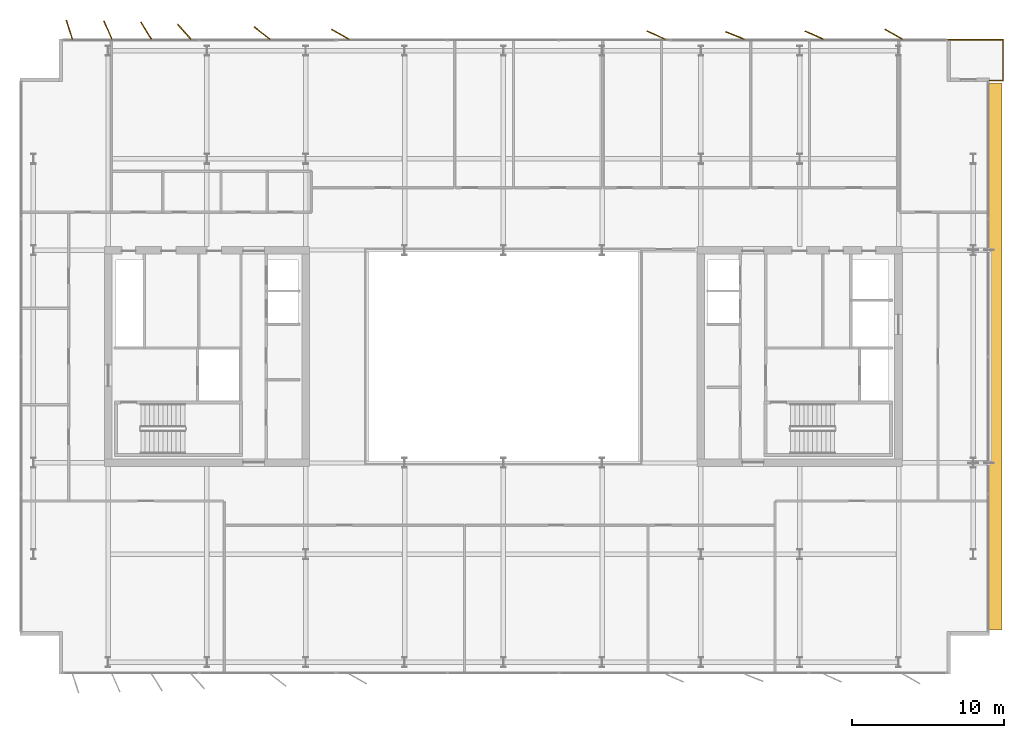
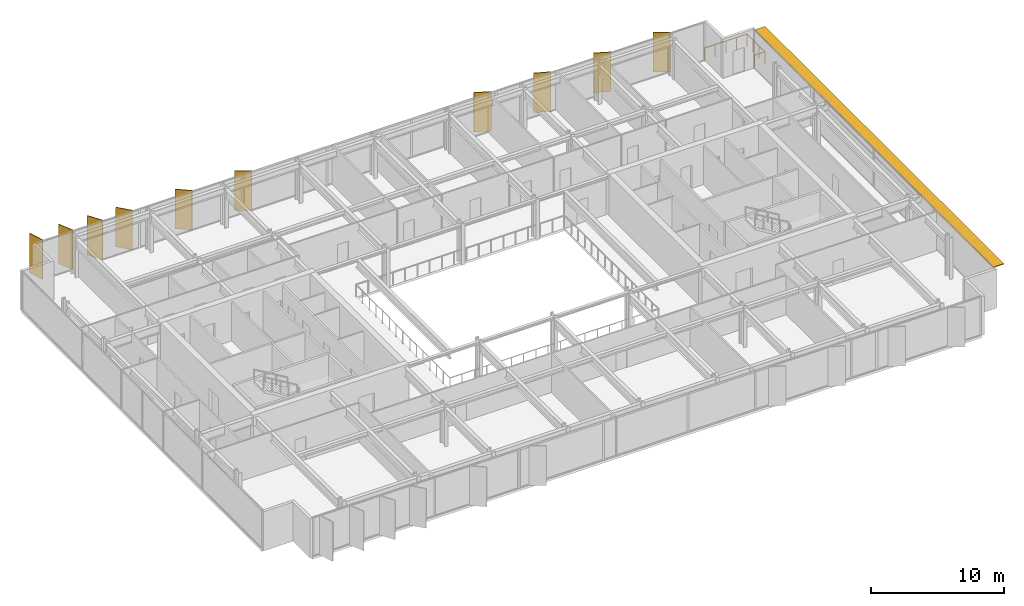
# One storey, part 19 of 19: 11 shading devices, 1 railing.
"""IFC4 building model written with IfcOpenShell, lengths in metres."""

from ifc_helpers import new_model, si_unit, direction, frame, origin, origin_2d, place, context, subcontext, project, spatial, polyline, rectangle, circle, outline, extrude, material, layer, layer_set, type_object, element, save


model = new_model("IFC4")

# Units and contexts
model_context = context("Model", 3, precision=1e-05, world=origin(), true_north=direction((0.0, 1.0)))
body_context = subcontext(model_context, "Body", "Model", "MODEL_VIEW")
ifc_project = project(units=[si_unit("LENGTHUNIT", "METRE"), si_unit("AREAUNIT", "SQUARE_METRE"), si_unit("VOLUMEUNIT", "CUBIC_METRE"), si_unit("PLANEANGLEUNIT", "RADIAN"), si_unit("MASSUNIT", "GRAM", prefix="KILO")], contexts=[model_context])

# Site, building, storey
site_placement = place(None, origin())
site = spatial("IfcSite", under=ifc_project, at=site_placement, CompositionType="ELEMENT")
building_placement = place(site_placement, origin())
building = spatial("IfcBuilding", under=site, at=building_placement, Name="Putna Gate Headquarters", CompositionType="ELEMENT")
storey_placement = place(building_placement, frame((0.0, 0.0, 263.199951171875)))
storey = spatial("IfcBuildingStorey", under=building, at=storey_placement, Name="L66", CompositionType="ELEMENT", Elevation=263.199951171875)

# Railing
ifc_material_1 = material(Name="Anodised bronze steel and laminated glass guardrail", Category="steel")
railing_type = type_object("IfcRailingType", Name="RAIL-TERR-GUARD-1150", PredefinedType="GUARDRAIL", material=ifc_material_1)
railing_placement = place(storey_placement, frame((70.989013671875, 44.159912109375, 0.0)))
element("IfcRailing", 1, at=railing_placement, inside=storey, type_object=railing_type, Name="L66 Spiral Sky Terrace Guardrail NE", PredefinedType="GUARDRAIL", context=body_context, shape_type="SweptSolid", body=[
    extrude(circle(Radius=0.02392578125, at=origin_2d()), frame((0.0, 0.0, 1.1259765625), z_axis=(1.0, 0.0, 0.0), x_axis=(0.0, 1.0, 0.0)), (0.0, 0.0, 1.0), 0.889892578125),
    extrude(circle(Radius=0.02392578125, at=origin_2d()), frame((0.889892578125, 0.0, 1.1259765625), z_axis=(0.0, 1.0, 0.0), x_axis=(-1.0, 0.0, 0.0)), (0.0, 0.0, 1.0), 2.68017578125),
    extrude(circle(Radius=0.02392578125, at=origin_2d()), frame((0.889892578125, 2.68017578125, 1.1259765625), z_axis=(-1.0, 0.0, 0.0), x_axis=(0.0, -1.0, 0.0)), (0.0, 0.0, 1.0), 3.68994140625),
    extrude(circle(Radius=0.02099609375, at=origin_2d()), origin(), (0.0, 0.0, 1.0), 1.101806640625),
    extrude(circle(Radius=0.02099609375, at=origin_2d()), frame((0.889892578125, 0.0, 0.0)), (0.0, 0.0, 1.0), 1.101806640625),
    extrude(circle(Radius=0.02099609375, at=origin_2d()), frame((0.889892578125, 0.893310546875, 0.0)), (0.0, 0.0, 1.0), 1.101806640625),
    extrude(circle(Radius=0.02099609375, at=origin_2d()), frame((0.889892578125, 1.786865234375, 0.0)), (0.0, 0.0, 1.0), 1.101806640625),
    extrude(circle(Radius=0.02099609375, at=origin_2d()), frame((0.889892578125, 2.68017578125, 0.0)), (0.0, 0.0, 1.0), 1.101806640625),
    extrude(circle(Radius=0.02099609375, at=origin_2d()), frame((-0.03271484375, 2.68017578125, 0.0)), (0.0, 0.0, 1.0), 1.101806640625),
    extrude(circle(Radius=0.02099609375, at=origin_2d()), frame((-0.955078125, 2.68017578125, 0.0)), (0.0, 0.0, 1.0), 1.101806640625),
    extrude(circle(Radius=0.02099609375, at=origin_2d()), frame((-1.87744140625, 2.68017578125, 0.0)), (0.0, 0.0, 1.0), 1.101806640625),
    extrude(circle(Radius=0.02099609375, at=origin_2d()), frame((-2.800048828125, 2.68017578125, 0.0)), (0.0, 0.0, 1.0), 1.101806640625),
])

# Shading devices
ifc_material_2 = material(Name="Anodised architectural bronze aluminium fin", Category="aluminium")
ifc_layer_1 = layer(ifc_material_2, 0.06494140625)
ifc_layer_set_1 = layer_set([ifc_layer_1], Name="Anodised architectural bronze aluminium fin")
shading_device_type_1 = type_object("IfcShadingDeviceType", Name="SHADE-BRONZE-FIN-1320", PredefinedType="USERDEFINED", material=ifc_layer_set_1)
for number, where, z_axis, x_axis, name in (
    (2, (10.4462890625, 47.502685546875, -0.02001953125), (0.0, 0.0, 1.0), (-0.308684994204, 0.951164325631, 0.0), "L66 Bronze Vertical Shading Fin N1"),
    (3, (12.985595703125, 47.479736328125, -0.02001953125), (0.0, 0.0, 1.0), (-0.400668879095, 0.916222925562, 0.0), "L66 Bronze Vertical Shading Fin N2"),
    (4, (15.499755859375, 47.434326171875, -0.02001953125), (0.0, 0.0, 1.0), (-0.530659123936, 0.847585331506, 0.0), "L66 Bronze Vertical Shading Fin N3"),
    (5, (18.00830078125, 47.365478515625, -0.02001953125), (0.0, 0.0, 1.0), (-0.669130606359, 0.743144825477, 0.0), "L66 Bronze Vertical Shading Fin N4"),
    (6, (23.13037109375, 47.28173828125, -0.02001953125), (0.0, 0.0, 1.0), (-0.787473187632, 0.616348909921, 0.0), "L66 Bronze Vertical Shading Fin N5"),
    (7, (28.276123046875, 47.201171875, -0.02001953125), (0.0, 0.0, 1.0), (-0.869322458298, 0.494245347472, 0.0), "L66 Bronze Vertical Shading Fin N6"),
    (8, (49.047119140625, 47.143310546875, -0.02001953125), (0.0, 0.0, 1.0), (-0.913687379856, 0.40641773078, 0.0), "L66 Bronze Vertical Shading Fin N7"),
    (9, (54.238037109375, 47.122314453125, -0.02001953125), (0.0, 0.0, 1.0), (-0.927183854567, 0.374606593416, 0.0), "L66 Bronze Vertical Shading Fin N8"),
    (10, (59.447021484375, 47.143310546875, -0.02001953125), (0.0, 0.0, 1.0), (-0.913687379856, 0.40641773078, 0.0), "L66 Bronze Vertical Shading Fin N9"),
    (11, (64.67626953125, 47.201171875, -0.02001953125), (0.0, 0.0, 1.0), (-0.869322458298, 0.494245347472, 0.0), "L66 Bronze Vertical Shading Fin N10"),
):
    element("IfcShadingDevice", number, at=place(storey_placement, frame(where, z_axis=z_axis, x_axis=x_axis)), inside=storey, type_object=shading_device_type_1, Name=name, ObjectType="FIN", PredefinedType="USERDEFINED", context=body_context, shape_type="SweptSolid", body=[
        extrude(rectangle(XDim=1.320068359375, YDim=0.06494140625, at=origin_2d()), origin(), (0.0, 0.0, 1.0), 3.6279296875),
    ])
ifc_material_3 = material(Name="Anodised architectural bronze sunshade blade", Category="aluminium")
ifc_layer_2 = layer(ifc_material_3, 0.06005859375)
ifc_layer_set_2 = layer_set([ifc_layer_2], Name="Anodised architectural bronze sunshade blade")
shading_device_type_2 = type_object("IfcShadingDeviceType", Name="SHADE-SAIL-BLADE-900", PredefinedType="USERDEFINED", material=ifc_layer_set_2)
shading_device_placement = place(storey_placement, frame((0.0, 0.0, 3.532958984375)))
element("IfcShadingDevice", 12, at=shading_device_placement, inside=storey, type_object=shading_device_type_2, Name="L66 East Sail Horizontal Bronze Sunshade Blade", ObjectType="SUNSHADE", PredefinedType="USERDEFINED", context=body_context, shape_type="SweptSolid", body=[
    extrude(outline(polyline([(70.908935546875, 8.0), (71.80908203125, 8.0), (71.80908203125, 44.0), (70.908935546875, 44.0), (70.908935546875, 8.0)])), origin(), (0.0, 0.0, 1.0), 0.06005859375),
])

save(model, "model.ifc")
